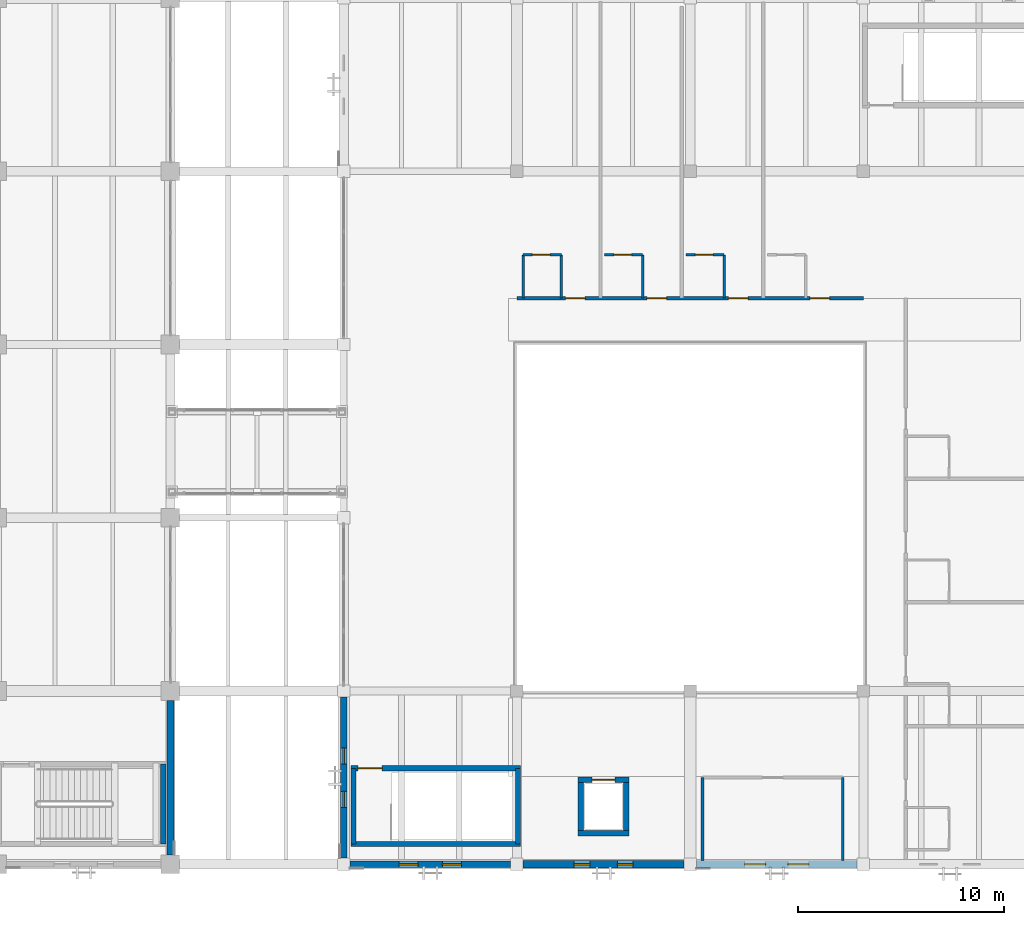
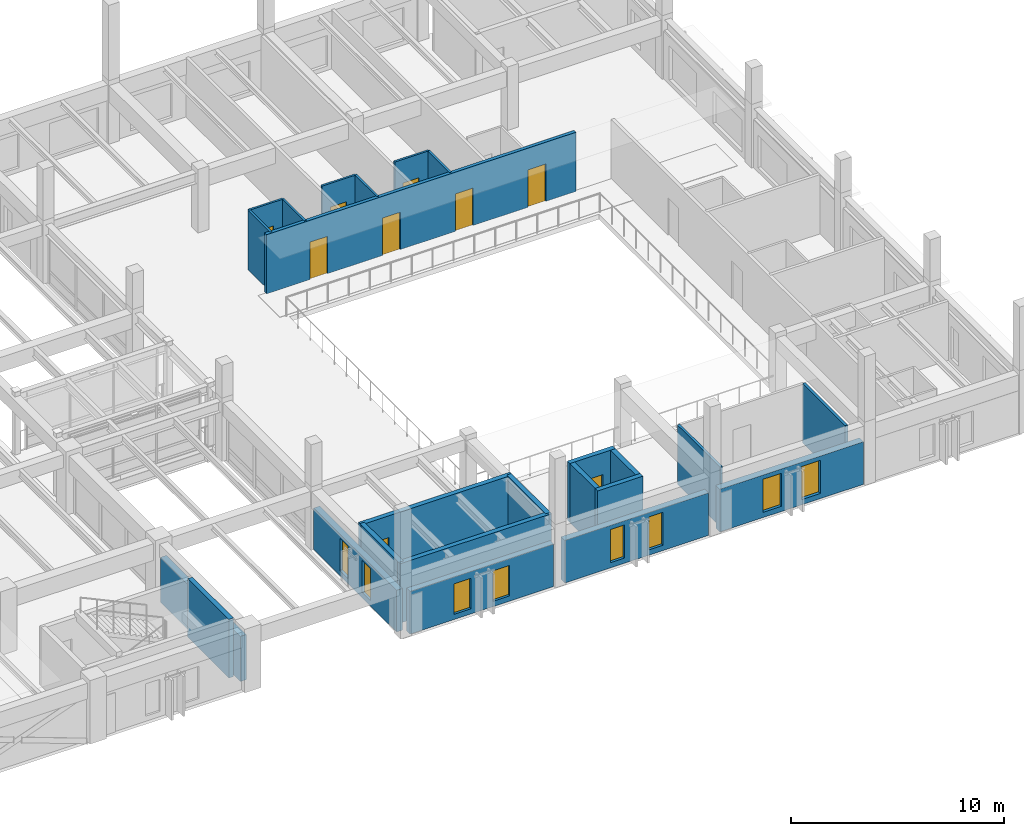
# One storey, part 67 of 118: 24 walls, 9 doors, 8 windows, 17 openings.
"""IFC4 building model written with IfcOpenShell, lengths in metres."""

from ifc_helpers import new_model, si_unit, direction, frame, frame_2d, origin, place, context, subcontext, project, spatial, rectangle, extrude, material, layer, layer_set, type_object, element, fill, save


model = new_model("IFC4")

# Units and contexts
model_context = context("Model", 3, precision=1e-05, world=origin(), true_north=direction((0.0, 1.0)))
body_context = subcontext(model_context, "Body", "Model", "MODEL_VIEW")
ifc_project = project(units=[si_unit("LENGTHUNIT", "METRE"), si_unit("AREAUNIT", "SQUARE_METRE"), si_unit("VOLUMEUNIT", "CUBIC_METRE"), si_unit("PLANEANGLEUNIT", "RADIAN"), si_unit("MASSUNIT", "GRAM", prefix="KILO")], contexts=[model_context])

# Site, building, storey
site_placement = place(None, origin())
site = spatial("IfcSite", under=ifc_project, at=site_placement, CompositionType="ELEMENT")
building_placement = place(site_placement, origin())
building = spatial("IfcBuilding", under=site, at=building_placement, Name="Cumbredor Promenade Congress Hotel", CompositionType="ELEMENT")
storey_placement = place(building_placement, frame((0.0, 0.0, 3.919921875)))
storey = spatial("IfcBuildingStorey", under=building, at=storey_placement, Name="L01", CompositionType="ELEMENT", Elevation=3.919921875)

# Wall, opening, door
ifc_material_1 = material(Name="Moisture-resistant gypsum board on steel studs", Category="steel")
ifc_layer_1 = layer(ifc_material_1, 0.114990234375, Name="Moisture-resistant gypsum board on steel studs", Category="steel")
ifc_layer_set_1 = layer_set([ifc_layer_1], Name="Moisture-resistant gypsum board on steel studs")
wall_type_1 = type_object("IfcWallType", Name="WL-BATH-115", PredefinedType="PARTITIONING", material=ifc_layer_set_1)
wall_1_placement = place(storey_placement, frame((84.300048828125, 37.949951171875, 0.0), z_axis=(0.0, 0.0, 1.0), x_axis=(1.0, 0.0, 0.0)))
wall_1 = element("IfcWall", 1, at=wall_1_placement, inside=storey, type_object=wall_type_1, Name="L01 Interior Partition W-L01-SBH-S101", PredefinedType="PARTITIONING", context=body_context, shape_type="SweptSolid", body=[
    extrude(rectangle(XDim=1.849853515625, YDim=0.114990234375, at=frame_2d((0.9248046875, 0.0))), origin(), (0.0, 0.0, 1.0), 3.405029296875),
])
opening_1_placement = place(wall_1_placement, frame((0.449951171875, 0.0, 0.0)))
opening_1 = element("IfcOpeningElement", 2, at=opening_1_placement, cuts=wall_1, Name="Opening ID-01", PredefinedType="OPENING", context=body_context, shape_type="SweptSolid", body=[
    extrude(rectangle(XDim=0.860107421875, YDim=2.050048828125, at=frame_2d((0.43017578125, 1.02490234375))), frame((0.0, 0.0673828125, 0.0), z_axis=(0.0, -1.0, 0.0), x_axis=(1.0, 0.0, 0.0)), (0.0, 0.0, 1.0), 0.135009765625),
])
ifc_material_2 = material(Name="Kiln-dried tropical hardwood", Category="wood")
door_type_1 = type_object("IfcDoorType", Name="DR-BATH-860", OperationType="NOTDEFINED", PredefinedType="DOOR", material=ifc_material_2)
door_1_placement = place(opening_1_placement, origin())
door_1 = element("IfcDoor", 3, at=door_1_placement, inside=storey, type_object=door_type_1, Name="L01 Interior Door W-L01-SBH-S101-01", OperationType="SINGLE_SWING_RIGHT", OverallHeight=2.050048828125, OverallWidth=0.860107421875, PredefinedType="DOOR", context=body_context, shape_type="SweptSolid", body=[
    extrude(rectangle(XDim=0.860107421875, YDim=2.050048828125, at=frame_2d((0.43017578125, 1.02490234375))), frame((0.0, 0.02490234375, 0.0), z_axis=(0.0, -1.0, 0.0), x_axis=(1.0, 0.0, 0.0)), (0.0, 0.0, 1.0), 0.050048828125),
])
fill(opening_1, door_1)

# Walls
for number, where, z_axis, x_axis, name in (
    (4, (86.14990234375, 35.85009765625, 0.0), (0.0, 0.0, 1.0), (0.0, 1.0, 0.0), "L01 Interior Partition W-L01-SBV-S101"),
    (5, (84.300048828125, 35.85009765625, 0.0), (0.0, 0.0, 1.0), (0.0, 1.0, 0.0), "L01 Interior Partition W-L01-SBV0-S101"),
):
    element("IfcWall", number, at=place(storey_placement, frame(where, z_axis=z_axis, x_axis=x_axis)), inside=storey, type_object=wall_type_1, Name=name, PredefinedType="PARTITIONING", context=body_context, shape_type="SweptSolid", body=[
        extrude(rectangle(XDim=2.099853515625, YDim=0.114990234375, at=frame_2d((1.0498046875, 0.0))), origin(), (0.0, 0.0, 1.0), 3.405029296875),
    ])

# Wall, opening, door
wall_2_placement = place(storey_placement, frame((88.25, 37.949951171875, 0.0), z_axis=(0.0, 0.0, 1.0), x_axis=(1.0, 0.0, 0.0)))
wall_2 = element("IfcWall", 6, at=wall_2_placement, inside=storey, type_object=wall_type_1, Name="L01 Interior Partition W-L01-SBH-S102", PredefinedType="PARTITIONING", context=body_context, shape_type="SweptSolid", body=[
    extrude(rectangle(XDim=1.85009765625, YDim=0.114990234375, at=frame_2d((0.925048828125, 0.0))), origin(), (0.0, 0.0, 1.0), 3.405029296875),
])
opening_2_placement = place(wall_2_placement, frame((0.449951171875, 0.0, 0.0)))
opening_2 = element("IfcOpeningElement", 7, at=opening_2_placement, cuts=wall_2, Name="Opening ID-01", PredefinedType="OPENING", context=body_context, shape_type="SweptSolid", body=[
    extrude(rectangle(XDim=0.860107421875, YDim=2.050048828125, at=frame_2d((0.43017578125, 1.02490234375))), frame((0.0, 0.0673828125, 0.0), z_axis=(0.0, -1.0, 0.0), x_axis=(1.0, 0.0, 0.0)), (0.0, 0.0, 1.0), 0.135009765625),
])
door_2_placement = place(opening_2_placement, origin())
door_2 = element("IfcDoor", 8, at=door_2_placement, inside=storey, type_object=door_type_1, Name="L01 Interior Door W-L01-SBH-S102-01", OperationType="SINGLE_SWING_LEFT", OverallHeight=2.050048828125, OverallWidth=0.860107421875, PredefinedType="DOOR", context=body_context, shape_type="SweptSolid", body=[
    extrude(rectangle(XDim=0.860107421875, YDim=2.050048828125, at=frame_2d((0.43017578125, 1.02490234375))), frame((0.0, 0.02490234375, 0.0), z_axis=(0.0, -1.0, 0.0), x_axis=(1.0, 0.0, 0.0)), (0.0, 0.0, 1.0), 0.050048828125),
])
fill(opening_2, door_2)

# Wall
wall_3_placement = place(storey_placement, frame((90.10009765625, 35.85009765625, 0.0), z_axis=(0.0, 0.0, 1.0), x_axis=(0.0, 1.0, 0.0)))
element("IfcWall", 9, at=wall_3_placement, inside=storey, type_object=wall_type_1, Name="L01 Interior Partition W-L01-SBV-S102", PredefinedType="PARTITIONING", context=body_context, shape_type="SweptSolid", body=[
    extrude(rectangle(XDim=2.099853515625, YDim=0.114990234375, at=frame_2d((1.0498046875, 0.0))), origin(), (0.0, 0.0, 1.0), 3.405029296875),
])

# Wall, opening, door
wall_4_placement = place(storey_placement, frame((92.199951171875, 37.949951171875, 0.0), z_axis=(0.0, 0.0, 1.0), x_axis=(1.0, 0.0, 0.0)))
wall_4 = element("IfcWall", 10, at=wall_4_placement, inside=storey, type_object=wall_type_1, Name="L01 Interior Partition W-L01-SBH-S103", PredefinedType="PARTITIONING", context=body_context, shape_type="SweptSolid", body=[
    extrude(rectangle(XDim=1.85009765625, YDim=0.114990234375, at=frame_2d((0.925048828125, 0.0))), origin(), (0.0, 0.0, 1.0), 3.405029296875),
])
opening_3_placement = place(wall_4_placement, frame((0.449951171875, 0.0, 0.0)))
opening_3 = element("IfcOpeningElement", 11, at=opening_3_placement, cuts=wall_4, Name="Opening ID-01", PredefinedType="OPENING", context=body_context, shape_type="SweptSolid", body=[
    extrude(rectangle(XDim=0.860107421875, YDim=2.050048828125, at=frame_2d((0.43017578125, 1.02490234375))), frame((0.0, 0.0673828125, 0.0), z_axis=(0.0, -1.0, 0.0), x_axis=(1.0, 0.0, 0.0)), (0.0, 0.0, 1.0), 0.135009765625),
])
door_3_placement = place(opening_3_placement, origin())
door_3 = element("IfcDoor", 12, at=door_3_placement, inside=storey, type_object=door_type_1, Name="L01 Interior Door W-L01-SBH-S103-01", OperationType="SINGLE_SWING_RIGHT", OverallHeight=2.050048828125, OverallWidth=0.860107421875, PredefinedType="DOOR", context=body_context, shape_type="SweptSolid", body=[
    extrude(rectangle(XDim=0.860107421875, YDim=2.050048828125, at=frame_2d((0.43017578125, 1.02490234375))), frame((0.0, 0.02490234375, 0.0), z_axis=(0.0, -1.0, 0.0), x_axis=(1.0, 0.0, 0.0)), (0.0, 0.0, 1.0), 0.050048828125),
])
fill(opening_3, door_3)

# Wall
wall_5_placement = place(storey_placement, frame((94.050048828125, 35.85009765625, 0.0), z_axis=(0.0, 0.0, 1.0), x_axis=(0.0, 1.0, 0.0)))
element("IfcWall", 13, at=wall_5_placement, inside=storey, type_object=wall_type_1, Name="L01 Interior Partition W-L01-SBV-S103", PredefinedType="PARTITIONING", context=body_context, shape_type="SweptSolid", body=[
    extrude(rectangle(XDim=2.099853515625, YDim=0.114990234375, at=frame_2d((1.0498046875, 0.0))), origin(), (0.0, 0.0, 1.0), 3.405029296875),
])

# Wall, openings, doors
ifc_material_3 = material(Name="Fire-rated hotel corridor wall")
ifc_layer_2 = layer(ifc_material_3, 0.179931640625, Name="Fire-rated hotel corridor wall")
ifc_layer_set_2 = layer_set([ifc_layer_2], Name="Fire-rated hotel corridor wall")
wall_type_2 = type_object("IfcWallType", Name="WL-CORR-180", PredefinedType="PARTITIONING", material=ifc_layer_set_2)
wall_6_placement = place(storey_placement, frame((84.0, 35.85009765625, 0.0), z_axis=(0.0, 0.0, 1.0), x_axis=(1.0, 0.0, 0.0)))
wall_6 = element("IfcWall", 14, at=wall_6_placement, inside=storey, type_object=wall_type_2, Name="L01 Interior Partition W-L01-SCORRW", PredefinedType="PARTITIONING", context=body_context, shape_type="SweptSolid", body=[
    extrude(rectangle(XDim=16.800048828125, YDim=0.179931640625, at=frame_2d((8.39990234375, 0.0))), origin(), (0.0, 0.0, 1.0), 3.405029296875),
])
opening_4_placement = place(wall_6_placement, frame((2.35009765625, 0.0, 0.0)))
opening_4 = element("IfcOpeningElement", 15, at=opening_4_placement, cuts=wall_6, Name="Opening FD-01", PredefinedType="OPENING", context=body_context, shape_type="SweptSolid", body=[
    extrude(rectangle(XDim=0.9599609375, YDim=2.14990234375, at=frame_2d((0.47998046875, 1.074951171875))), frame((0.0, 0.10009765625, 0.0), z_axis=(0.0, -1.0, 0.0), x_axis=(1.0, 0.0, 0.0)), (0.0, 0.0, 1.0), 0.199951171875),
])
opening_5_placement = place(wall_6_placement, frame((6.300048828125, 0.0, 0.0)))
opening_5 = element("IfcOpeningElement", 16, at=opening_5_placement, cuts=wall_6, Name="Opening FD-01", PredefinedType="OPENING", context=body_context, shape_type="SweptSolid", body=[
    extrude(rectangle(XDim=0.9599609375, YDim=2.14990234375, at=frame_2d((0.47998046875, 1.074951171875))), frame((0.0, 0.10009765625, 0.0), z_axis=(0.0, -1.0, 0.0), x_axis=(1.0, 0.0, 0.0)), (0.0, 0.0, 1.0), 0.199951171875),
])
opening_6_placement = place(wall_6_placement, frame((10.25, 0.0, 0.0)))
opening_6 = element("IfcOpeningElement", 17, at=opening_6_placement, cuts=wall_6, Name="Opening FD-01", PredefinedType="OPENING", context=body_context, shape_type="SweptSolid", body=[
    extrude(rectangle(XDim=0.9599609375, YDim=2.14990234375, at=frame_2d((0.47998046875, 1.074951171875))), frame((0.0, 0.10009765625, 0.0), z_axis=(0.0, -1.0, 0.0), x_axis=(1.0, 0.0, 0.0)), (0.0, 0.0, 1.0), 0.199951171875),
])
opening_7_placement = place(wall_6_placement, frame((14.199951171875, 0.0, 0.0)))
opening_7 = element("IfcOpeningElement", 18, at=opening_7_placement, cuts=wall_6, Name="Opening FD-01", PredefinedType="OPENING", context=body_context, shape_type="SweptSolid", body=[
    extrude(rectangle(XDim=0.9599609375, YDim=2.14990234375, at=frame_2d((0.47998046875, 1.074951171875))), frame((0.0, 0.10009765625, 0.0), z_axis=(0.0, -1.0, 0.0), x_axis=(1.0, 0.0, 0.0)), (0.0, 0.0, 1.0), 0.199951171875),
])
ifc_material_4 = material(Name="Solid-core fire-rated tropical hardwood", Category="wood")
door_type_2 = type_object("IfcDoorType", Name="DR-GUEST-FD30-950", OperationType="NOTDEFINED", PredefinedType="DOOR", material=ifc_material_4)
door_4_placement = place(opening_4_placement, origin())
door_4 = element("IfcDoor", 19, at=door_4_placement, inside=storey, type_object=door_type_2, Name="L01 Interior Door W-L01-SCORRW-01", OperationType="SINGLE_SWING_LEFT", OverallHeight=2.14990234375, OverallWidth=0.9599609375, PredefinedType="DOOR", context=body_context, shape_type="SweptSolid", body=[
    extrude(rectangle(XDim=0.9599609375, YDim=2.14990234375, at=frame_2d((0.47998046875, 1.074951171875))), frame((0.0, 0.02490234375, 0.0), z_axis=(0.0, -1.0, 0.0), x_axis=(1.0, 0.0, 0.0)), (0.0, 0.0, 1.0), 0.050048828125),
])
fill(opening_4, door_4)
door_5_placement = place(opening_5_placement, origin())
door_5 = element("IfcDoor", 20, at=door_5_placement, inside=storey, type_object=door_type_2, Name="L01 Interior Door W-L01-SCORRW-02", OperationType="SINGLE_SWING_RIGHT", OverallHeight=2.14990234375, OverallWidth=0.9599609375, PredefinedType="DOOR", context=body_context, shape_type="SweptSolid", body=[
    extrude(rectangle(XDim=0.9599609375, YDim=2.14990234375, at=frame_2d((0.47998046875, 1.074951171875))), frame((0.0, 0.02490234375, 0.0), z_axis=(0.0, -1.0, 0.0), x_axis=(1.0, 0.0, 0.0)), (0.0, 0.0, 1.0), 0.050048828125),
])
fill(opening_5, door_5)
door_6_placement = place(opening_6_placement, origin())
door_6 = element("IfcDoor", 21, at=door_6_placement, inside=storey, type_object=door_type_2, Name="L01 Interior Door W-L01-SCORRW-03", OperationType="SINGLE_SWING_LEFT", OverallHeight=2.14990234375, OverallWidth=0.9599609375, PredefinedType="DOOR", context=body_context, shape_type="SweptSolid", body=[
    extrude(rectangle(XDim=0.9599609375, YDim=2.14990234375, at=frame_2d((0.47998046875, 1.074951171875))), frame((0.0, 0.02490234375, 0.0), z_axis=(0.0, -1.0, 0.0), x_axis=(1.0, 0.0, 0.0)), (0.0, 0.0, 1.0), 0.050048828125),
])
fill(opening_6, door_6)
door_7_placement = place(opening_7_placement, origin())
door_7 = element("IfcDoor", 22, at=door_7_placement, inside=storey, type_object=door_type_2, Name="L01 Interior Door W-L01-SCORRW-04", OperationType="SINGLE_SWING_RIGHT", OverallHeight=2.14990234375, OverallWidth=0.9599609375, PredefinedType="DOOR", context=body_context, shape_type="SweptSolid", body=[
    extrude(rectangle(XDim=0.9599609375, YDim=2.14990234375, at=frame_2d((0.47998046875, 1.074951171875))), frame((0.0, 0.02490234375, 0.0), z_axis=(0.0, -1.0, 0.0), x_axis=(1.0, 0.0, 0.0)), (0.0, 0.0, 1.0), 0.050048828125),
])
fill(opening_7, door_7)

# Wall
ifc_material_5 = material(Name="Concrete C40/50", Category="concrete")
ifc_layer_3 = layer(ifc_material_5, 0.324951171875, Name="Concrete C40/50", Category="concrete")
ifc_layer_set_3 = layer_set([ifc_layer_3], Name="Concrete C40/50")
wall_type_3 = type_object("IfcWallType", Name="WL-EXT-325", PredefinedType="SOLIDWALL", material=ifc_layer_set_3)
wall_7_placement = place(storey_placement, frame((67.199951171875, 8.85107421875, 0.0), z_axis=(0.0, 0.0, 1.0), x_axis=(0.0, 1.0, 0.0)))
element("IfcWall", 23, at=wall_7_placement, inside=storey, type_object=wall_type_3, Name="L01 Plenary Congress Hall East Envelope Wall 1", PredefinedType="SOLIDWALL", context=body_context, shape_type="SweptSolid", body=[
    extrude(rectangle(XDim=7.498046875, YDim=0.324951171875, at=frame_2d((3.7490234375, 0.0))), origin(), (0.0, 0.0, 1.0), 2.594970703125),
])

# Wall, openings, windows
wall_8_placement = place(storey_placement, frame((75.90087890625, 8.39990234375, 0.0), z_axis=(0.0, 0.0, 1.0), x_axis=(1.0, 0.0, 0.0)))
wall_8 = element("IfcWall", 24, at=wall_8_placement, inside=storey, type_object=wall_type_3, Name="L01 Thermal Spa and Hydrotherapy Pavilion South Envelope Wall 1", PredefinedType="SOLIDWALL", context=body_context, shape_type="SweptSolid", body=[
    extrude(rectangle(XDim=7.798095703125, YDim=0.324951171875, at=frame_2d((3.89892578125, 0.0))), origin(), (0.0, 0.0, 1.0), 2.445068359375),
])
opening_8_placement = place(wall_8_placement, frame((2.388916015625, 0.0, 0.300048828125)))
opening_8 = element("IfcOpeningElement", 25, at=opening_8_placement, cuts=wall_8, Name="Opening WN-63", PredefinedType="OPENING", context=body_context, shape_type="SweptSolid", body=[
    extrude(rectangle(XDim=0.919921875, YDim=1.75, at=frame_2d((0.4599609375, 0.875))), frame((0.0, 0.17236328125, 0.0), z_axis=(0.0, -1.0, 0.0), x_axis=(1.0, 0.0, 0.0)), (0.0, 0.0, 1.0), 0.344970703125),
])
opening_9_placement = place(wall_8_placement, frame((4.489013671875, 0.0, 0.300048828125)))
opening_9 = element("IfcOpeningElement", 26, at=opening_9_placement, cuts=wall_8, Name="Opening WN-63", PredefinedType="OPENING", context=body_context, shape_type="SweptSolid", body=[
    extrude(rectangle(XDim=0.919921875, YDim=1.75, at=frame_2d((0.4599609375, 0.875))), frame((0.0, 0.17236328125, 0.0), z_axis=(0.0, -1.0, 0.0), x_axis=(1.0, 0.0, 0.0)), (0.0, 0.0, 1.0), 0.344970703125),
])
ifc_material_6 = material(Name="Thermally broken anodized aluminium and low-E glass", Category="aluminium")
window_type_1 = type_object("IfcWindowType", Name="Vertical Slot Window WN-63 920x1750", PartitioningType="SINGLE_PANEL", PredefinedType="WINDOW", material=ifc_material_6)
window_1_placement = place(opening_8_placement, origin())
window_1 = element("IfcWindow", 27, at=window_1_placement, inside=storey, type_object=window_type_1, Name="L01 Vertical Slot Window 0123", OverallHeight=1.75, OverallWidth=0.919921875, PartitioningType="SINGLE_PANEL", PredefinedType="WINDOW", context=body_context, shape_type="SweptSolid", body=[
    extrude(rectangle(XDim=0.919921875, YDim=1.75, at=frame_2d((0.4599609375, 0.875))), frame((0.0, 0.030029296875, 0.0), z_axis=(0.0, -1.0, 0.0), x_axis=(1.0, 0.0, 0.0)), (0.0, 0.0, 1.0), 0.06005859375),
])
fill(opening_8, window_1)
window_2_placement = place(opening_9_placement, origin())
window_2 = element("IfcWindow", 28, at=window_2_placement, inside=storey, type_object=window_type_1, Name="L01 Vertical Slot Window 0124", OverallHeight=1.75, OverallWidth=0.919921875, PartitioningType="SINGLE_PANEL", PredefinedType="WINDOW", context=body_context, shape_type="SweptSolid", body=[
    extrude(rectangle(XDim=0.919921875, YDim=1.75, at=frame_2d((0.4599609375, 0.875))), frame((0.0, 0.030029296875, 0.0), z_axis=(0.0, -1.0, 0.0), x_axis=(1.0, 0.0, 0.0)), (0.0, 0.0, 1.0), 0.06005859375),
])
fill(opening_9, window_2)

wall_9_placement = place(storey_placement, frame((75.60009765625, 8.700927734375, 0.0), z_axis=(0.0, 0.0, 1.0), x_axis=(0.0, 1.0, 0.0)))
wall_9 = element("IfcWall", 29, at=wall_9_placement, inside=storey, type_object=wall_type_3, Name="L01 Thermal Spa and Hydrotherapy Pavilion West Envelope Wall 1", PredefinedType="SOLIDWALL", context=body_context, shape_type="SweptSolid", body=[
    extrude(rectangle(XDim=7.798095703125, YDim=0.324951171875, at=frame_2d((3.89892578125, 0.0))), origin(), (0.0, 0.0, 1.0), 2.39501953125),
])
opening_10_placement = place(wall_9_placement, frame((2.458984375, 0.0, 0.300048828125)))
opening_10 = element("IfcOpeningElement", 30, at=opening_10_placement, cuts=wall_9, Name="Opening WN-46", PredefinedType="OPENING", context=body_context, shape_type="SweptSolid", body=[
    extrude(rectangle(XDim=0.780029296875, YDim=1.85009765625, at=frame_2d((0.39013671875, 0.925048828125))), frame((0.0, 0.17236328125, 0.0), z_axis=(0.0, -1.0, 0.0), x_axis=(1.0, 0.0, 0.0)), (0.0, 0.0, 1.0), 0.344970703125),
])
opening_11_placement = place(wall_9_placement, frame((4.55908203125, 0.0, 0.300048828125)))
opening_11 = element("IfcOpeningElement", 31, at=opening_11_placement, cuts=wall_9, Name="Opening WN-46", PredefinedType="OPENING", context=body_context, shape_type="SweptSolid", body=[
    extrude(rectangle(XDim=0.780029296875, YDim=1.85009765625, at=frame_2d((0.39013671875, 0.925048828125))), frame((0.0, 0.17236328125, 0.0), z_axis=(0.0, -1.0, 0.0), x_axis=(1.0, 0.0, 0.0)), (0.0, 0.0, 1.0), 0.344970703125),
])
window_type_2 = type_object("IfcWindowType", Name="Vertical Slot Window WN-46 780x1850", PartitioningType="SINGLE_PANEL", PredefinedType="WINDOW", material=ifc_material_6)
window_3_placement = place(opening_10_placement, origin())
window_3 = element("IfcWindow", 32, at=window_3_placement, inside=storey, type_object=window_type_2, Name="L01 Vertical Slot Window 0137", OverallHeight=1.85009765625, OverallWidth=0.780029296875, PartitioningType="SINGLE_PANEL", PredefinedType="WINDOW", context=body_context, shape_type="SweptSolid", body=[
    extrude(rectangle(XDim=0.780029296875, YDim=1.85009765625, at=frame_2d((0.39013671875, 0.925048828125))), frame((0.0, 0.030029296875, 0.0), z_axis=(0.0, -1.0, 0.0), x_axis=(1.0, 0.0, 0.0)), (0.0, 0.0, 1.0), 0.06005859375),
])
fill(opening_10, window_3)
window_4_placement = place(opening_11_placement, origin())
window_4 = element("IfcWindow", 33, at=window_4_placement, inside=storey, type_object=window_type_2, Name="L01 Vertical Slot Window 0138", OverallHeight=1.85009765625, OverallWidth=0.780029296875, PartitioningType="SINGLE_PANEL", PredefinedType="WINDOW", context=body_context, shape_type="SweptSolid", body=[
    extrude(rectangle(XDim=0.780029296875, YDim=1.85009765625, at=frame_2d((0.39013671875, 0.925048828125))), frame((0.0, 0.030029296875, 0.0), z_axis=(0.0, -1.0, 0.0), x_axis=(1.0, 0.0, 0.0)), (0.0, 0.0, 1.0), 0.06005859375),
])
fill(opening_11, window_4)

ifc_layer_4 = layer(ifc_material_5, 0.35009765625, Name="Concrete C40/50", Category="concrete")
ifc_layer_set_4 = layer_set([ifc_layer_4], Name="Concrete C40/50")
wall_type_4 = type_object("IfcWallType", Name="WL-EXT-350", PredefinedType="SOLIDWALL", material=ifc_layer_set_4)
wall_10_placement = place(storey_placement, frame((84.301025390625, 8.39990234375, 0.0), z_axis=(0.0, 0.0, 1.0), x_axis=(1.0, 0.0, 0.0)))
wall_10 = element("IfcWall", 34, at=wall_10_placement, inside=storey, type_object=wall_type_4, Name="L01 Thermal Spa and Hydrotherapy Pavilion South Envelope Wall 2", PredefinedType="SOLIDWALL", context=body_context, shape_type="SweptSolid", body=[
    extrude(rectangle(XDim=7.798095703125, YDim=0.35009765625, at=frame_2d((3.89892578125, 0.0))), origin(), (0.0, 0.0, 1.0), 2.445068359375),
])
opening_12_placement = place(wall_10_placement, frame((2.464111328125, 0.0, 0.300048828125)))
opening_12 = element("IfcOpeningElement", 35, at=opening_12_placement, cuts=wall_10, Name="Opening WN-66", PredefinedType="OPENING", context=body_context, shape_type="SweptSolid", body=[
    extrude(rectangle(XDim=0.77001953125, YDim=1.89990234375, at=frame_2d((0.385009765625, 0.949951171875))), frame((0.0, 0.18505859375, 0.0), z_axis=(0.0, -1.0, 0.0), x_axis=(1.0, 0.0, 0.0)), (0.0, 0.0, 1.0), 0.3701171875),
])
opening_13_placement = place(wall_10_placement, frame((4.56396484375, 0.0, 0.300048828125)))
opening_13 = element("IfcOpeningElement", 36, at=opening_13_placement, cuts=wall_10, Name="Opening WN-66", PredefinedType="OPENING", context=body_context, shape_type="SweptSolid", body=[
    extrude(rectangle(XDim=0.77001953125, YDim=1.89990234375, at=frame_2d((0.385009765625, 0.949951171875))), frame((0.0, 0.18505859375, 0.0), z_axis=(0.0, -1.0, 0.0), x_axis=(1.0, 0.0, 0.0)), (0.0, 0.0, 1.0), 0.3701171875),
])
window_type_3 = type_object("IfcWindowType", Name="Vertical Slot Window WN-66 770x1900", PartitioningType="SINGLE_PANEL", PredefinedType="WINDOW", material=ifc_material_6)
window_5_placement = place(opening_12_placement, origin())
window_5 = element("IfcWindow", 37, at=window_5_placement, inside=storey, type_object=window_type_3, Name="L01 Vertical Slot Window 0125", OverallHeight=1.89990234375, OverallWidth=0.77001953125, PartitioningType="SINGLE_PANEL", PredefinedType="WINDOW", context=body_context, shape_type="SweptSolid", body=[
    extrude(rectangle(XDim=0.77001953125, YDim=1.89990234375, at=frame_2d((0.385009765625, 0.949951171875))), frame((0.0, 0.030029296875, 0.0), z_axis=(0.0, -1.0, 0.0), x_axis=(1.0, 0.0, 0.0)), (0.0, 0.0, 1.0), 0.06005859375),
])
fill(opening_12, window_5)
window_6_placement = place(opening_13_placement, origin())
window_6 = element("IfcWindow", 38, at=window_6_placement, inside=storey, type_object=window_type_3, Name="L01 Vertical Slot Window 0126", OverallHeight=1.89990234375, OverallWidth=0.77001953125, PartitioningType="SINGLE_PANEL", PredefinedType="WINDOW", context=body_context, shape_type="SweptSolid", body=[
    extrude(rectangle(XDim=0.77001953125, YDim=1.89990234375, at=frame_2d((0.385009765625, 0.949951171875))), frame((0.0, 0.030029296875, 0.0), z_axis=(0.0, -1.0, 0.0), x_axis=(1.0, 0.0, 0.0)), (0.0, 0.0, 1.0), 0.06005859375),
])
fill(opening_13, window_6)

ifc_layer_5 = layer(ifc_material_5, 0.3798828125, Name="Concrete C40/50", Category="concrete")
ifc_layer_set_5 = layer_set([ifc_layer_5], Name="Concrete C40/50")
wall_type_5 = type_object("IfcWallType", Name="WL-EXT-380", PredefinedType="SOLIDWALL", material=ifc_layer_set_5)
wall_11_placement = place(storey_placement, frame((92.700927734375, 8.39990234375, 0.0), z_axis=(0.0, 0.0, 1.0), x_axis=(1.0, 0.0, 0.0)))
wall_11 = element("IfcWall", 39, at=wall_11_placement, inside=storey, type_object=wall_type_5, Name="L01 Thermal Spa and Hydrotherapy Pavilion South Envelope Wall 3", PredefinedType="SOLIDWALL", context=body_context, shape_type="SweptSolid", body=[
    extrude(rectangle(XDim=7.798095703125, YDim=0.3798828125, at=frame_2d((3.89892578125, 0.0))), origin(), (0.0, 0.0, 1.0), 2.445068359375),
])
opening_14_placement = place(wall_11_placement, frame((2.339111328125, 0.0, 0.300048828125)))
opening_14 = element("IfcOpeningElement", 40, at=opening_14_placement, cuts=wall_11, Name="Opening WN-69", PredefinedType="OPENING", context=body_context, shape_type="SweptSolid", body=[
    extrude(rectangle(XDim=1.02001953125, YDim=1.89990234375, at=frame_2d((0.510009765625, 0.949951171875))), frame((0.0, 0.199951171875, 0.0), z_axis=(0.0, -1.0, 0.0), x_axis=(1.0, 0.0, 0.0)), (0.0, 0.0, 1.0), 0.39990234375),
])
opening_15_placement = place(wall_11_placement, frame((4.43896484375, 0.0, 0.300048828125)))
opening_15 = element("IfcOpeningElement", 41, at=opening_15_placement, cuts=wall_11, Name="Opening WN-69", PredefinedType="OPENING", context=body_context, shape_type="SweptSolid", body=[
    extrude(rectangle(XDim=1.02001953125, YDim=1.89990234375, at=frame_2d((0.510009765625, 0.949951171875))), frame((0.0, 0.199951171875, 0.0), z_axis=(0.0, -1.0, 0.0), x_axis=(1.0, 0.0, 0.0)), (0.0, 0.0, 1.0), 0.39990234375),
])
window_type_4 = type_object("IfcWindowType", Name="Vertical Slot Window WN-69 1020x1900", PartitioningType="SINGLE_PANEL", PredefinedType="WINDOW", material=ifc_material_6)
window_7_placement = place(opening_14_placement, origin())
window_7 = element("IfcWindow", 42, at=window_7_placement, inside=storey, type_object=window_type_4, Name="L01 Vertical Slot Window 0127", OverallHeight=1.89990234375, OverallWidth=1.02001953125, PartitioningType="SINGLE_PANEL", PredefinedType="WINDOW", context=body_context, shape_type="SweptSolid", body=[
    extrude(rectangle(XDim=1.02001953125, YDim=1.89990234375, at=frame_2d((0.510009765625, 0.949951171875))), frame((0.0, 0.030029296875, 0.0), z_axis=(0.0, -1.0, 0.0), x_axis=(1.0, 0.0, 0.0)), (0.0, 0.0, 1.0), 0.06005859375),
])
fill(opening_14, window_7)
window_8_placement = place(opening_15_placement, origin())
window_8 = element("IfcWindow", 43, at=window_8_placement, inside=storey, type_object=window_type_4, Name="L01 Vertical Slot Window 0128", OverallHeight=1.89990234375, OverallWidth=1.02001953125, PartitioningType="SINGLE_PANEL", PredefinedType="WINDOW", context=body_context, shape_type="SweptSolid", body=[
    extrude(rectangle(XDim=1.02001953125, YDim=1.89990234375, at=frame_2d((0.510009765625, 0.949951171875))), frame((0.0, 0.030029296875, 0.0), z_axis=(0.0, -1.0, 0.0), x_axis=(1.0, 0.0, 0.0)), (0.0, 0.0, 1.0), 0.06005859375),
])
fill(opening_15, window_8)

# Walls
ifc_material_7 = material(Name="Acoustic gypsum partition on steel studs", Category="steel")
ifc_layer_6 = layer(ifc_material_7, 0.139892578125, Name="Acoustic gypsum partition on steel studs", Category="steel")
ifc_layer_set_6 = layer_set([ifc_layer_6], Name="Acoustic gypsum partition on steel studs")
wall_type_6 = type_object("IfcWallType", Name="WL-PART-140", PredefinedType="PARTITIONING", material=ifc_layer_set_6)
for number, where, z_axis, x_axis, name in (
    (44, (93.0, 8.590087890625, 0.0), (0.0, 0.0, 1.0), (0.0, 1.0, 0.0), "L01 Interior Partition W-L01-V3-WC-W"),
    (45, (99.800048828125, 8.590087890625, 0.0), (0.0, 0.0, 1.0), (0.0, 1.0, 0.0), "L01 Interior Partition W-L01-V3-WC-E"),
):
    element("IfcWall", number, at=place(storey_placement, frame(where, z_axis=z_axis, x_axis=x_axis)), inside=storey, type_object=wall_type_6, Name=name, PredefinedType="PARTITIONING", context=body_context, shape_type="SweptSolid", body=[
        extrude(rectangle(XDim=4.010009765625, YDim=0.139892578125, at=frame_2d((2.0048828125, 0.0))), origin(), (0.0, 0.0, 1.0), 3.405029296875),
    ])
ifc_layer_7 = layer(ifc_material_5, 0.2548828125, Name="Concrete C40/50", Category="concrete")
ifc_layer_set_7 = layer_set([ifc_layer_7], Name="Concrete C40/50")
wall_type_7 = type_object("IfcWallType", Name="WL-SHAFT-250", PredefinedType="SOLIDWALL", material=ifc_layer_set_7)
wall_12_placement = place(storey_placement, frame((66.85009765625, 9.3798828125, 0.0), z_axis=(0.0, 0.0, 1.0), x_axis=(0.0, 1.0, 0.0)))
element("IfcWall", 46, at=wall_12_placement, inside=storey, type_object=wall_type_7, Name="STAIR-ST-05-L01 Shaft Wall East", PredefinedType="SOLIDWALL", context=body_context, shape_type="SweptSolid", body=[
    extrude(rectangle(XDim=3.8701171875, YDim=0.2548828125, at=frame_2d((1.93505859375, 0.0))), origin(), (0.0, 0.0, 1.0), 3.360107421875),
])
wall_13_placement = place(storey_placement, frame((75.952392578125, 9.3798828125, 0.0), z_axis=(0.0, 0.0, 1.0), x_axis=(1.0, 0.0, 0.0)))
element("IfcWall", 47, at=wall_13_placement, inside=storey, type_object=wall_type_7, Name="STAIR-ST-11-L01 Shaft Wall South", PredefinedType="SOLIDWALL", context=body_context, shape_type="SweptSolid", body=[
    extrude(rectangle(XDim=8.22509765625, YDim=0.2548828125, at=frame_2d((4.112548828125, 0.0))), origin(), (0.0, 0.0, 1.0), 3.405029296875),
])

# Wall, opening, door
wall_14_placement = place(storey_placement, frame((75.952392578125, 13.050048828125, 0.0), z_axis=(0.0, 0.0, 1.0), x_axis=(1.0, 0.0, 0.0)))
wall_14 = element("IfcWall", 48, at=wall_14_placement, inside=storey, type_object=wall_type_7, Name="STAIR-ST-11-L01 Shaft Wall North", PredefinedType="SOLIDWALL", context=body_context, shape_type="SweptSolid", body=[
    extrude(rectangle(XDim=8.22509765625, YDim=0.2548828125, at=frame_2d((4.112548828125, 0.0))), origin(), (0.0, 0.0, 1.0), 3.405029296875),
])
opening_16_placement = place(wall_14_placement, frame((0.35009765625, 0.0, 0.0)))
opening_16 = element("IfcOpeningElement", 49, at=opening_16_placement, cuts=wall_14, Name="Opening SD-01", PredefinedType="OPENING", context=body_context, shape_type="SweptSolid", body=[
    extrude(rectangle(XDim=1.159912109375, YDim=2.14990234375, at=frame_2d((0.580078125, 1.074951171875))), frame((0.0, 0.137451171875, 0.0), z_axis=(0.0, -1.0, 0.0), x_axis=(1.0, 0.0, 0.0)), (0.0, 0.0, 1.0), 0.27490234375),
])
ifc_material_8 = material(Name="Painted galvanized steel fire door", Category="steel")
door_type_3 = type_object("IfcDoorType", Name="DR-STAIR-FD90-1150", OperationType="NOTDEFINED", PredefinedType="DOOR", material=ifc_material_8)
door_8_placement = place(opening_16_placement, origin())
door_8 = element("IfcDoor", 50, at=door_8_placement, inside=storey, type_object=door_type_3, Name="L01 Protected Exit Stair ST-11 Door", OperationType="SINGLE_SWING_LEFT", OverallHeight=2.14990234375, OverallWidth=1.159912109375, PredefinedType="DOOR", context=body_context, shape_type="SweptSolid", body=[
    extrude(rectangle(XDim=1.159912109375, YDim=2.14990234375, at=frame_2d((0.580078125, 1.074951171875))), frame((0.0, 0.02490234375, 0.0), z_axis=(0.0, -1.0, 0.0), x_axis=(1.0, 0.0, 0.0)), (0.0, 0.0, 1.0), 0.050048828125),
])
fill(opening_16, door_8)

# Walls
for number, where, z_axis, x_axis, name in (
    (51, (76.080078125, 9.3798828125, 0.0), (0.0, 0.0, 1.0), (0.0, 1.0, 0.0), "STAIR-ST-11-L01 Shaft Wall West"),
    (52, (84.050048828125, 9.3798828125, 0.0), (0.0, 0.0, 1.0), (0.0, 1.0, 0.0), "STAIR-ST-11-L01 Shaft Wall East"),
):
    element("IfcWall", number, at=place(storey_placement, frame(where, z_axis=z_axis, x_axis=x_axis)), inside=storey, type_object=wall_type_7, Name=name, PredefinedType="SOLIDWALL", context=body_context, shape_type="SweptSolid", body=[
        extrude(rectangle(XDim=3.670166015625, YDim=0.2548828125, at=frame_2d((1.8349609375, 0.0))), origin(), (0.0, 0.0, 1.0), 3.405029296875),
    ])
wall_15_placement = place(storey_placement, frame((86.972412109375, 9.89990234375, 0.0), z_axis=(0.0, 0.0, 1.0), x_axis=(1.0, 0.0, 0.0)))
element("IfcWall", 53, at=wall_15_placement, inside=storey, type_object=wall_type_7, Name="SHAFT-PL-08-L01 Shaft Wall South", PredefinedType="SOLIDWALL", context=body_context, shape_type="SweptSolid", body=[
    extrude(rectangle(XDim=2.455078125, YDim=0.2548828125, at=frame_2d((1.2275390625, 0.0))), origin(), (0.0, 0.0, 1.0), 3.405029296875),
])

# Wall, opening, door
wall_16_placement = place(storey_placement, frame((86.972412109375, 12.5, 0.0), z_axis=(0.0, 0.0, 1.0), x_axis=(1.0, 0.0, 0.0)))
wall_16 = element("IfcWall", 54, at=wall_16_placement, inside=storey, type_object=wall_type_7, Name="SHAFT-PL-08-L01 Shaft Wall North", PredefinedType="SOLIDWALL", context=body_context, shape_type="SweptSolid", body=[
    extrude(rectangle(XDim=2.455078125, YDim=0.2548828125, at=frame_2d((1.2275390625, 0.0))), origin(), (0.0, 0.0, 1.0), 3.405029296875),
])
opening_17_placement = place(wall_16_placement, frame((0.677490234375, 0.0, 0.0)))
opening_17 = element("IfcOpeningElement", 55, at=opening_17_placement, cuts=wall_16, Name="Opening LD-01", PredefinedType="OPENING", context=body_context, shape_type="SweptSolid", body=[
    extrude(rectangle(XDim=1.10009765625, YDim=2.14990234375, at=frame_2d((0.550048828125, 1.074951171875))), frame((0.0, 0.137451171875, 0.0), z_axis=(0.0, -1.0, 0.0), x_axis=(1.0, 0.0, 0.0)), (0.0, 0.0, 1.0), 0.27490234375),
])
ifc_material_9 = material(Name="Brushed stainless steel", Category="steel")
door_type_4 = type_object("IfcDoorType", Name="Lift Landing Sliding Door LD-01 1100x2150", OperationType="DOUBLE_DOOR_SLIDING", PredefinedType="DOOR", material=ifc_material_9)
door_9_placement = place(opening_17_placement, origin())
door_9 = element("IfcDoor", 56, at=door_9_placement, inside=storey, type_object=door_type_4, Name="L01 Spa Wellness Lift PL-08 Sliding Landing Door", OperationType="DOUBLE_DOOR_SLIDING", OverallHeight=2.14990234375, OverallWidth=1.10009765625, PredefinedType="DOOR", context=body_context, shape_type="SweptSolid", body=[
    extrude(rectangle(XDim=1.10009765625, YDim=2.14990234375, at=frame_2d((0.550048828125, 1.074951171875))), frame((0.0, 0.02490234375, 0.0), z_axis=(0.0, -1.0, 0.0), x_axis=(1.0, 0.0, 0.0)), (0.0, 0.0, 1.0), 0.050048828125),
])
fill(opening_17, door_9)

# Walls
for number, where, z_axis, x_axis, name in (
    (57, (87.10009765625, 9.89990234375, 0.0), (0.0, 0.0, 1.0), (0.0, 1.0, 0.0), "SHAFT-PL-08-L01 Shaft Wall West"),
    (58, (89.300048828125, 9.89990234375, 0.0), (0.0, 0.0, 1.0), (0.0, 1.0, 0.0), "SHAFT-PL-08-L01 Shaft Wall East"),
):
    element("IfcWall", number, at=place(storey_placement, frame(where, z_axis=z_axis, x_axis=x_axis)), inside=storey, type_object=wall_type_7, Name=name, PredefinedType="SOLIDWALL", context=body_context, shape_type="SweptSolid", body=[
        extrude(rectangle(XDim=2.60009765625, YDim=0.2548828125, at=frame_2d((1.300048828125, 0.0))), origin(), (0.0, 0.0, 1.0), 3.405029296875),
    ])

save(model, "model.ifc")
